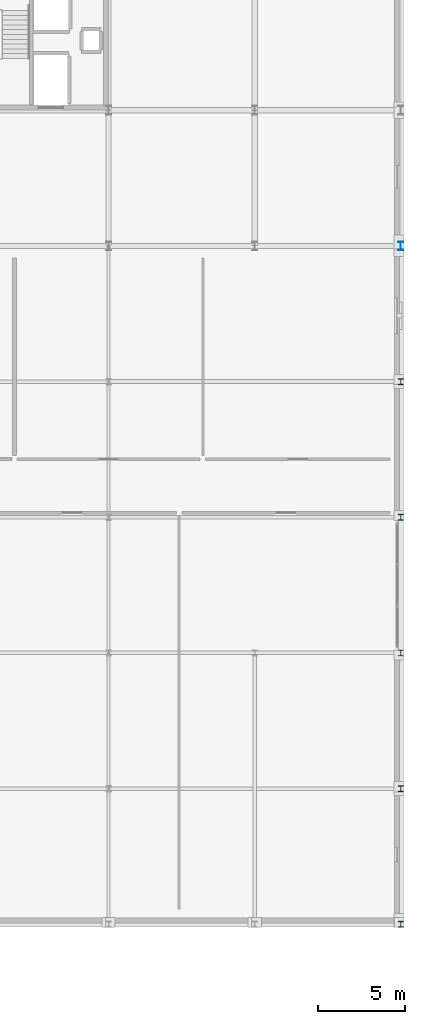
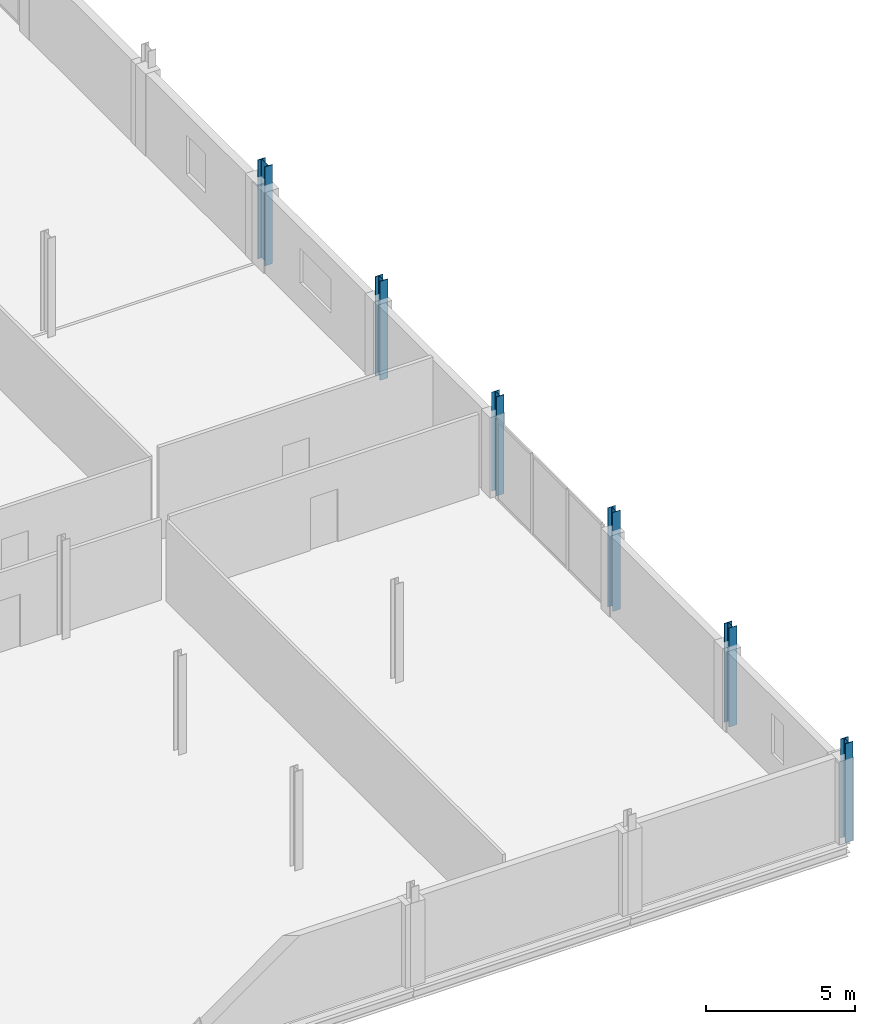
# One storey, part 12 of 77: 6 columns.
"""IFC4 building model written with IfcOpenShell, lengths in metres."""

from ifc_helpers import new_model, si_unit, direction, frame, origin, origin_2d, place, context, subcontext, project, spatial, i_section, extrude, material, material_profile, profile_set, type_object, element, save


model = new_model("IFC4")

# Units and contexts
model_context = context("Model", 3, precision=1e-05, world=origin(), true_north=direction((0.0, 1.0)))
body_context = subcontext(model_context, "Body", "Model", "MODEL_VIEW")
ifc_project = project(units=[si_unit("LENGTHUNIT", "METRE"), si_unit("AREAUNIT", "SQUARE_METRE"), si_unit("VOLUMEUNIT", "CUBIC_METRE"), si_unit("PLANEANGLEUNIT", "RADIAN"), si_unit("MASSUNIT", "GRAM", prefix="KILO")], contexts=[model_context])

# Site, building, storey
site_placement = place(None, origin())
site = spatial("IfcSite", under=ifc_project, at=site_placement, CompositionType="ELEMENT")
building_placement = place(site_placement, origin())
building = spatial("IfcBuilding", under=site, at=building_placement, Name="Nabrawat Pavilion Hospital", CompositionType="ELEMENT")
storey_placement = place(building_placement, frame((0.0, 0.0, 14.85009765625)))
storey = spatial("IfcBuildingStorey", under=building, at=storey_placement, Name="L03", CompositionType="ELEMENT", Elevation=14.85009765625)

# Columns
ifc_material = material(Name="Steel S355", Category="steel")
ifc_material_profile_1 = material_profile(ifc_material, i_section(OverallWidth=0.300048828125, OverallDepth=0.5, WebThickness=0.014404296875, FlangeThickness=0.028076171875, FilletRadius=0.027099609375, at=origin_2d()), Name="HEB 500")
ifc_profile_set_1 = profile_set([ifc_material_profile_1], Name="Steel S355")
column_type_1 = type_object("IfcColumnType", Name="Composite Steel Column HEB 500", PredefinedType="COLUMN", material=ifc_profile_set_1)
column_placement = place(storey_placement, frame((193.199951171875, 39.0, 0.0), z_axis=(0.0, 0.0, 1.0), x_axis=(1.0, 0.0, 0.0)))
element("IfcColumn", 1, at=column_placement, inside=storey, type_object=column_type_1, Name="L03 Structural Column G-24-F1", PredefinedType="COLUMN", context=body_context, shape_type="SweptSolid", body=[
    extrude(i_section(OverallWidth=0.300048828125, OverallDepth=0.5, WebThickness=0.014404296875, FlangeThickness=0.028076171875, FilletRadius=0.027099609375, at=origin_2d()), origin(), (0.0, 0.0, 1.0), 4.0498046875),
])
ifc_material_profile_2 = material_profile(ifc_material, i_section(OverallWidth=0.300048828125, OverallDepth=0.340087890625, WebThickness=0.011962890625, FlangeThickness=0.021484375, FilletRadius=0.027099609375, at=origin_2d()), Name="HEB 340")
ifc_profile_set_2 = profile_set([ifc_material_profile_2], Name="Steel S355")
column_type_2 = type_object("IfcColumnType", Name="Upper Clinic Steel Column HEB 340", PredefinedType="COLUMN", material=ifc_profile_set_2)
for number, where, z_axis, x_axis, name in (
    (2, (193.199951171875, 0.0, 0.0), (0.0, 0.0, 1.0), (1.0, 0.0, 0.0), "L03 Structural Column G-24-A"),
    (3, (193.199951171875, 7.800048828125, 0.0), (0.0, 0.0, 1.0), (1.0, 0.0, 0.0), "L03 Structural Column G-24-B"),
    (4, (193.199951171875, 15.60009765625, 0.0), (0.0, 0.0, 1.0), (1.0, 0.0, 0.0), "L03 Structural Column G-24-C"),
    (5, (193.199951171875, 23.39990234375, 0.0), (0.0, 0.0, 1.0), (1.0, 0.0, 0.0), "L03 Structural Column G-24-D"),
    (6, (193.199951171875, 31.199951171875, 0.0), (0.0, 0.0, 1.0), (1.0, 0.0, 0.0), "L03 Structural Column G-24-E"),
):
    element("IfcColumn", number, at=place(storey_placement, frame(where, z_axis=z_axis, x_axis=x_axis)), inside=storey, type_object=column_type_2, Name=name, PredefinedType="COLUMN", context=body_context, shape_type="SweptSolid", body=[
        extrude(i_section(OverallWidth=0.300048828125, OverallDepth=0.340087890625, WebThickness=0.011962890625, FlangeThickness=0.021484375, FilletRadius=0.027099609375, at=origin_2d()), origin(), (0.0, 0.0, 1.0), 4.0498046875),
    ])

save(model, "model.ifc")
